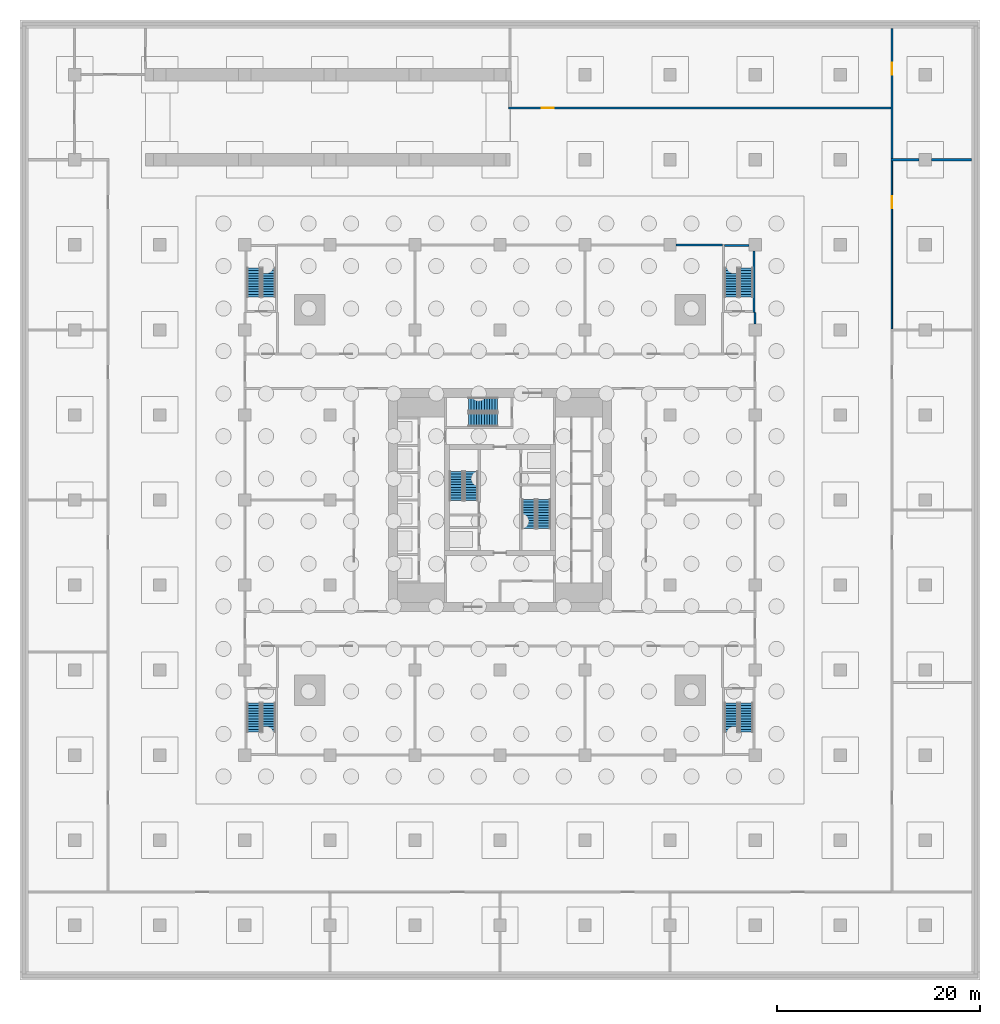
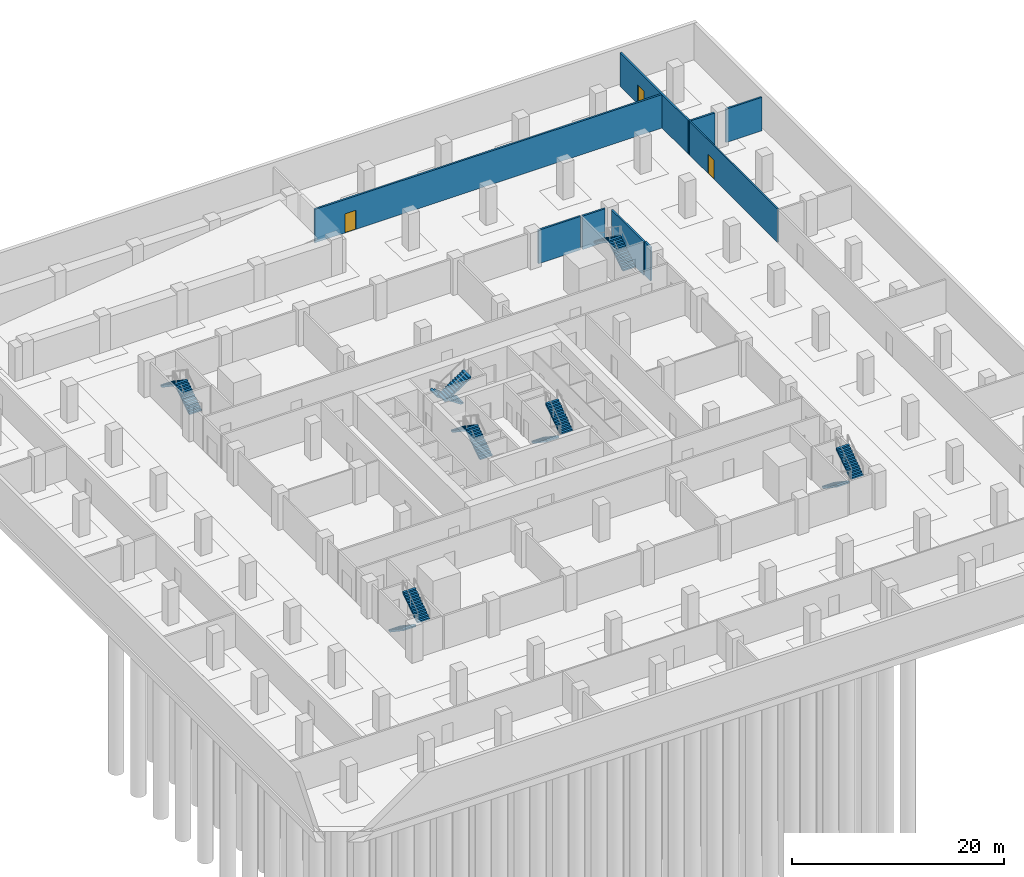
# One storey, part 13 of 19: 14 stair flights, 9 walls, 3 doors, 3 openings, 7 elements without a shape of their own.
"""IFC4 building model written with IfcOpenShell, lengths in metres."""

from ifc_helpers import new_model, si_unit, direction, frame, frame_2d, origin, place, context, subcontext, project, spatial, polyline, rectangle, outline, extrude, material, layer, layer_set, type_object, element, fill, aggregate, save


model = new_model("IFC4")

# Units and contexts
model_context = context("Model", 3, precision=1e-05, world=origin(), true_north=direction((0.0, 1.0)))
body_context = subcontext(model_context, "Body", "Model", "MODEL_VIEW")
ifc_project = project(units=[si_unit("LENGTHUNIT", "METRE"), si_unit("AREAUNIT", "SQUARE_METRE"), si_unit("VOLUMEUNIT", "CUBIC_METRE"), si_unit("PLANEANGLEUNIT", "RADIAN"), si_unit("MASSUNIT", "GRAM", prefix="KILO")], contexts=[model_context])

# Site, building, storey
site_placement = place(None, origin())
site = spatial("IfcSite", under=ifc_project, at=site_placement, CompositionType="ELEMENT")
building_placement = place(site_placement, origin())
building = spatial("IfcBuilding", under=site, at=building_placement, Name="Khepri Terraces", CompositionType="ELEMENT")
storey_placement = place(building_placement, frame((0.0, 0.0, -8.39990234375)))
storey = spatial("IfcBuildingStorey", under=building, at=storey_placement, Name="B2", CompositionType="ELEMENT", Elevation=-8.39990234375)

# Wall, opening, door
ifc_material_1 = material(Name="Gypsum board partition")
ifc_layer_1 = layer(ifc_material_1, 0.14990234375, Name="Gypsum board partition")
ifc_layer_set_1 = layer_set([ifc_layer_1], Name="Gypsum board partition")
wall_type_1 = type_object("IfcWallType", Name="WL-POD-150", PredefinedType="PARTITIONING", material=ifc_layer_set_1)
wall_1_placement = place(storey_placement, frame((38.699951171875, 16.89990234375, 0.0), z_axis=(0.0, 0.0, 1.0), x_axis=(0.0, 1.0, 0.0)))
wall_1 = element("IfcWall", 1, at=wall_1_placement, inside=storey, type_object=wall_type_1, Name="Partition B2-PW102", PredefinedType="PARTITIONING", context=body_context, shape_type="SweptSolid", body=[
    extrude(rectangle(XDim=16.60009765625, YDim=0.14990234375, at=frame_2d((8.300048828125, 0.0))), origin(), (0.0, 0.0, 1.0), 3.849853515625),
])
opening_1_placement = place(wall_1_placement, frame((11.89990234375, 0.0, 0.0)))
opening_1 = element("IfcOpeningElement", 2, at=opening_1_placement, cuts=wall_1, Name="Opening B2-P34", PredefinedType="OPENING", context=body_context, shape_type="SweptSolid", body=[
    extrude(rectangle(XDim=1.199951171875, YDim=2.199951171875, at=frame_2d((0.60009765625, 1.10009765625))), frame((0.0, 0.0849609375, 0.0), z_axis=(0.0, -1.0, 0.0), x_axis=(1.0, 0.0, 0.0)), (0.0, 0.0, 1.0), 0.169921875),
])
ifc_material_2 = material(Name="Timber veneer", Category="wood")
door_type_1 = type_object("IfcDoorType", Name="DR-POD-SINGLE-1200", OperationType="NOTDEFINED", PredefinedType="DOOR", material=ifc_material_2)
door_1_placement = place(opening_1_placement, origin())
door_1 = element("IfcDoor", 3, at=door_1_placement, inside=storey, type_object=door_type_1, Name="Door B2-P34", OperationType="SINGLE_SWING_LEFT", OverallHeight=2.199951171875, OverallWidth=1.199951171875, PredefinedType="DOOR", context=body_context, shape_type="SweptSolid", body=[
    extrude(rectangle(XDim=1.199951171875, YDim=2.199951171875, at=frame_2d((0.60009765625, 1.10009765625))), frame((0.0, 0.02490234375, 0.0), z_axis=(0.0, -1.0, 0.0), x_axis=(1.0, 0.0, 0.0)), (0.0, 0.0, 1.0), 0.050048828125),
])
fill(opening_1, door_1)

# Walls
ifc_material_3 = material(Name="Fire-rated block wall")
ifc_layer_2 = layer(ifc_material_3, 0.199951171875, Name="Fire-rated block wall")
ifc_layer_set_2 = layer_set([ifc_layer_2], Name="Fire-rated block wall")
wall_type_2 = type_object("IfcWallType", Name="WL-POD-200-EI120", PredefinedType="PARTITIONING", material=ifc_layer_set_2)
wall_2_placement = place(storey_placement, frame((17.39990234375, 25.199951171875, 0.0), z_axis=(0.0, 0.0, 1.0), x_axis=(1.0, 0.0, 0.0)))
element("IfcWall", 4, at=wall_2_placement, inside=storey, type_object=wall_type_2, Name="Partition B2-PW036", PredefinedType="PARTITIONING", context=body_context, shape_type="SweptSolid", body=[
    extrude(rectangle(XDim=4.550048828125, YDim=0.199951171875, at=frame_2d((2.27490234375, 0.0))), origin(), (0.0, 0.0, 1.0), 3.849853515625),
])
wall_3_placement = place(storey_placement, frame((38.60009765625, 33.60009765625, 0.0), z_axis=(0.0, 0.0, 1.0), x_axis=(1.0, 0.0, 0.0)))
element("IfcWall", 5, at=wall_3_placement, inside=storey, type_object=wall_type_2, Name="Partition B2-PW045", PredefinedType="PARTITIONING", context=body_context, shape_type="SweptSolid", body=[
    extrude(rectangle(XDim=2.7998046875, YDim=0.199951171875, at=frame_2d((1.39990234375, 0.0))), origin(), (0.0, 0.0, 1.0), 3.849853515625),
])
wall_4_placement = place(storey_placement, frame((42.60009765625, 33.60009765625, 0.0), z_axis=(0.0, 0.0, 1.0), x_axis=(1.0, 0.0, 0.0)))
element("IfcWall", 6, at=wall_4_placement, inside=storey, type_object=wall_type_2, Name="Partition B2-PW046", PredefinedType="PARTITIONING", context=body_context, shape_type="SweptSolid", body=[
    extrude(rectangle(XDim=3.949951171875, YDim=0.199951171875, at=frame_2d((1.97509765625, 0.0))), origin(), (0.0, 0.0, 1.0), 3.849853515625),
])

# Wall, opening, door
wall_5_placement = place(storey_placement, frame((0.85009765625, 38.699951171875, 0.0), z_axis=(0.0, 0.0, 1.0), x_axis=(1.0, 0.0, 0.0)))
wall_5 = element("IfcWall", 7, at=wall_5_placement, inside=storey, type_object=wall_type_2, Name="Partition B2-PW047", PredefinedType="PARTITIONING", context=body_context, shape_type="SweptSolid", body=[
    extrude(rectangle(XDim=37.75, YDim=0.199951171875, at=frame_2d((18.875, 0.0))), origin(), (0.0, 0.0, 1.0), 3.849853515625),
])
opening_2_placement = place(wall_5_placement, frame((3.25, 0.0, 0.0)))
opening_2 = element("IfcOpeningElement", 8, at=opening_2_placement, cuts=wall_5, Name="Opening B2-P36", PredefinedType="OPENING", context=body_context, shape_type="SweptSolid", body=[
    extrude(rectangle(XDim=1.199951171875, YDim=2.199951171875, at=frame_2d((0.60009765625, 1.10009765625))), frame((0.0, 0.10986328125, 0.0), z_axis=(0.0, -1.0, 0.0), x_axis=(1.0, 0.0, 0.0)), (0.0, 0.0, 1.0), 0.219970703125),
])
ifc_material_4 = material(Name="Painted steel", Category="steel")
door_type_2 = type_object("IfcDoorType", Name="DR-POD-PLANT-1200", OperationType="NOTDEFINED", PredefinedType="DOOR", material=ifc_material_4)
door_2_placement = place(opening_2_placement, origin())
door_2 = element("IfcDoor", 9, at=door_2_placement, inside=storey, type_object=door_type_2, Name="Plant room door B2-P36", OperationType="SINGLE_SWING_LEFT", OverallHeight=2.199951171875, OverallWidth=1.199951171875, PredefinedType="DOOR", context=body_context, shape_type="SweptSolid", body=[
    extrude(rectangle(XDim=1.199951171875, YDim=2.199951171875, at=frame_2d((0.60009765625, 1.10009765625))), frame((0.0, 0.02490234375, 0.0), z_axis=(0.0, -1.0, 0.0), x_axis=(1.0, 0.0, 0.0)), (0.0, 0.0, 1.0), 0.050048828125),
])
fill(opening_2, door_2)

# Wall
wall_6_placement = place(storey_placement, frame((25.199951171875, 17.39990234375, 0.0), z_axis=(0.0, 0.0, 1.0), x_axis=(0.0, 1.0, 0.0)))
element("IfcWall", 10, at=wall_6_placement, inside=storey, type_object=wall_type_2, Name="Partition B2-PW100", PredefinedType="PARTITIONING", context=body_context, shape_type="SweptSolid", body=[
    extrude(rectangle(XDim=1.10009765625, YDim=0.199951171875, at=frame_2d((0.550048828125, 0.0))), origin(), (0.0, 0.0, 1.0), 3.849853515625),
])

# Wall, opening, door
wall_7_placement = place(storey_placement, frame((38.699951171875, 33.699951171875, 0.0), z_axis=(0.0, 0.0, 1.0), x_axis=(0.0, 1.0, 0.0)))
wall_7 = element("IfcWall", 11, at=wall_7_placement, inside=storey, type_object=wall_type_2, Name="Partition B2-PW103", PredefinedType="PARTITIONING", context=body_context, shape_type="SweptSolid", body=[
    extrude(rectangle(XDim=12.85009765625, YDim=0.199951171875, at=frame_2d((6.425048828125, 0.0))), origin(), (0.0, 0.0, 1.0), 3.849853515625),
])
opening_3_placement = place(wall_7_placement, frame((8.300048828125, 0.0, 0.0)))
opening_3 = element("IfcOpeningElement", 12, at=opening_3_placement, cuts=wall_7, Name="Opening B2-P38", PredefinedType="OPENING", context=body_context, shape_type="SweptSolid", body=[
    extrude(rectangle(XDim=1.199951171875, YDim=2.199951171875, at=frame_2d((0.60009765625, 1.10009765625))), frame((0.0, 0.10986328125, 0.0), z_axis=(0.0, -1.0, 0.0), x_axis=(1.0, 0.0, 0.0)), (0.0, 0.0, 1.0), 0.219970703125),
])
door_3_placement = place(opening_3_placement, origin())
door_3 = element("IfcDoor", 13, at=door_3_placement, inside=storey, type_object=door_type_2, Name="Plant room door B2-P38", OperationType="SINGLE_SWING_LEFT", OverallHeight=2.199951171875, OverallWidth=1.199951171875, PredefinedType="DOOR", context=body_context, shape_type="SweptSolid", body=[
    extrude(rectangle(XDim=1.199951171875, YDim=2.199951171875, at=frame_2d((0.60009765625, 1.10009765625))), frame((0.0, 0.02490234375, 0.0), z_axis=(0.0, -1.0, 0.0), x_axis=(1.0, 0.0, 0.0)), (0.0, 0.0, 1.0), 0.050048828125),
])
fill(opening_3, door_3)

# Walls
ifc_material_5 = material(Name="Concrete C40/50", Category="concrete")
ifc_layer_3 = layer(ifc_material_5, 0.199951171875, Name="Concrete C40/50", Category="concrete")
ifc_layer_set_3 = layer_set([ifc_layer_3], Name="Concrete C40/50")
wall_type_3 = type_object("IfcWallType", Name="WL-POD-STAIR-200", PredefinedType="SOLIDWALL", material=ifc_layer_set_3)
wall_8_placement = place(storey_placement, frame((25.10009765625, 18.5, 0.0), z_axis=(0.0, 0.0, 1.0), x_axis=(0.0, 1.0, 0.0)))
element("IfcWall", 14, at=wall_8_placement, inside=storey, type_object=wall_type_3, Name="Stair enclosure PS-1 B2-E", PredefinedType="SOLIDWALL", context=body_context, shape_type="SweptSolid", body=[
    extrude(rectangle(XDim=6.10009765625, YDim=0.199951171875, at=frame_2d((3.050048828125, 0.0))), origin(), (0.0, 0.0, 1.0), 3.849853515625),
])
wall_9_placement = place(storey_placement, frame((22.14990234375, 25.139892578125, 0.0), z_axis=(0.0, 0.0, 1.0), x_axis=(1.0, 0.0, 0.0)))
element("IfcWall", 15, at=wall_9_placement, inside=storey, type_object=wall_type_3, Name="Stair enclosure PS-1 B2-N", PredefinedType="SOLIDWALL", context=body_context, shape_type="SweptSolid", body=[
    extrude(rectangle(XDim=2.4501953125, YDim=0.199951171875, at=frame_2d((1.22509765625, 0.0))), origin(), (0.0, 0.0, 1.0), 3.849853515625),
])

# Stair, stair flights
stair_type_1 = type_object("IfcStairType", Name="ST-POD", PredefinedType="HALF_TURN_STAIR", material=ifc_material_5)
stair_1_placement = place(storey_placement, origin())
stair_1 = element("IfcStair", 16, at=stair_1_placement, inside=storey, type_object=stair_type_1, Name="B2 Exit Stair PS-1", PredefinedType="HALF_TURN_STAIR")
stair_flight_type_1 = type_object("IfcStairFlightType", Name="SFL-POD", PredefinedType="STRAIGHT", material=ifc_material_5)
stair_flight_1_placement = place(storey_placement, frame((24.324951171875, 20.050048828125, 0.0), z_axis=(0.0, 0.0, 1.0), x_axis=(0.0, 1.0, 0.0)))
stair_flight_1 = element("IfcStairFlight", 17, at=stair_flight_1_placement, type_object=stair_flight_type_1, Name="PS-1 flight 1", NumberOfRisers=12, NumberOfTreads=11, PredefinedType="STRAIGHT", RiserHeight=0.175, TreadLength=0.26, context=body_context, shape_type="SweptSolid", body=[
    extrude(outline(polyline([(0.0, 0.0), (0.0, 0.175048828125), (0.260009765625, 0.175048828125), (0.260009765625, 0.35009765625), (0.52001953125, 0.35009765625), (0.52001953125, 0.52490234375), (0.780029296875, 0.52490234375), (0.780029296875, 0.699951171875), (1.0400390625, 0.699951171875), (1.0400390625, 0.875), (1.300048828125, 0.875), (1.300048828125, 1.050048828125), (1.56005859375, 1.050048828125), (1.56005859375, 1.22509765625), (1.820068359375, 1.22509765625), (1.820068359375, 1.39990234375), (2.080078125, 1.39990234375), (2.080078125, 1.574951171875), (2.340087890625, 1.574951171875), (2.340087890625, 1.75), (2.60009765625, 1.75), (2.60009765625, 1.925048828125), (2.860107421875, 1.925048828125), (2.860107421875, 2.10009765625), (2.860107421875, 1.744384765625), (0.2685546875, 0.0), (0.0, 0.0)])), frame((0.0, 0.675048828125, 0.0), z_axis=(0.0, -1.0, 0.0), x_axis=(1.0, 0.0, 0.0)), (0.0, 0.0, 1.0), 1.35009765625),
])
stair_flight_2_placement = place(storey_placement, frame((22.824951171875, 22.909912109375, 2.099853515625), z_axis=(0.0, 0.0, 1.0), x_axis=(0.0, -1.0, 0.0)))
stair_flight_2 = element("IfcStairFlight", 18, at=stair_flight_2_placement, type_object=stair_flight_type_1, Name="PS-1 flight 2", NumberOfRisers=12, NumberOfTreads=11, PredefinedType="STRAIGHT", RiserHeight=0.175, TreadLength=0.26, context=body_context, shape_type="SweptSolid", body=[
    extrude(outline(polyline([(0.0, 0.0), (0.0, 0.175048828125), (0.260009765625, 0.175048828125), (0.260009765625, 0.35009765625), (0.52001953125, 0.35009765625), (0.52001953125, 0.52490234375), (0.780029296875, 0.52490234375), (0.780029296875, 0.699951171875), (1.0400390625, 0.699951171875), (1.0400390625, 0.875), (1.300048828125, 0.875), (1.300048828125, 1.050048828125), (1.56005859375, 1.050048828125), (1.56005859375, 1.22509765625), (1.820068359375, 1.22509765625), (1.820068359375, 1.39990234375), (2.080078125, 1.39990234375), (2.080078125, 1.574951171875), (2.340087890625, 1.574951171875), (2.340087890625, 1.75), (2.60009765625, 1.75), (2.60009765625, 1.925048828125), (2.860107421875, 1.925048828125), (2.860107421875, 2.10009765625), (2.860107421875, 1.744384765625), (0.2685546875, 0.0), (0.0, 0.0)])), frame((0.0, 0.675048828125, 0.0), z_axis=(0.0, -1.0, 0.0), x_axis=(1.0, 0.0, 0.0)), (0.0, 0.0, 1.0), 1.35009765625),
])
aggregate(stair_1, [stair_flight_1, stair_flight_2])

stair_2_placement = place(storey_placement, origin())
stair_2 = element("IfcStair", 19, at=stair_2_placement, inside=storey, type_object=stair_type_1, Name="B2 Exit Stair PS-2", PredefinedType="HALF_TURN_STAIR")
stair_flight_3_placement = place(storey_placement, frame((-22.824951171875, 20.050048828125, 0.0), z_axis=(0.0, 0.0, 1.0), x_axis=(0.0, 1.0, 0.0)))
stair_flight_3 = element("IfcStairFlight", 20, at=stair_flight_3_placement, type_object=stair_flight_type_1, Name="PS-2 flight 1", NumberOfRisers=12, NumberOfTreads=11, PredefinedType="STRAIGHT", RiserHeight=0.175, TreadLength=0.26, context=body_context, shape_type="SweptSolid", body=[
    extrude(outline(polyline([(0.0, 0.0), (0.0, 0.175048828125), (0.260009765625, 0.175048828125), (0.260009765625, 0.35009765625), (0.52001953125, 0.35009765625), (0.52001953125, 0.52490234375), (0.780029296875, 0.52490234375), (0.780029296875, 0.699951171875), (1.0400390625, 0.699951171875), (1.0400390625, 0.875), (1.300048828125, 0.875), (1.300048828125, 1.050048828125), (1.56005859375, 1.050048828125), (1.56005859375, 1.22509765625), (1.820068359375, 1.22509765625), (1.820068359375, 1.39990234375), (2.080078125, 1.39990234375), (2.080078125, 1.574951171875), (2.340087890625, 1.574951171875), (2.340087890625, 1.75), (2.60009765625, 1.75), (2.60009765625, 1.925048828125), (2.860107421875, 1.925048828125), (2.860107421875, 2.10009765625), (2.860107421875, 1.744384765625), (0.2685546875, 0.0), (0.0, 0.0)])), frame((0.0, 0.675048828125, 0.0), z_axis=(0.0, -1.0, 0.0), x_axis=(1.0, 0.0, 0.0)), (0.0, 0.0, 1.0), 1.35009765625),
])
stair_flight_4_placement = place(storey_placement, frame((-24.324951171875, 22.909912109375, 2.099853515625), z_axis=(0.0, 0.0, 1.0), x_axis=(0.0, -1.0, 0.0)))
stair_flight_4 = element("IfcStairFlight", 21, at=stair_flight_4_placement, type_object=stair_flight_type_1, Name="PS-2 flight 2", NumberOfRisers=12, NumberOfTreads=11, PredefinedType="STRAIGHT", RiserHeight=0.175, TreadLength=0.26, context=body_context, shape_type="SweptSolid", body=[
    extrude(outline(polyline([(0.0, 0.0), (0.0, 0.175048828125), (0.260009765625, 0.175048828125), (0.260009765625, 0.35009765625), (0.52001953125, 0.35009765625), (0.52001953125, 0.52490234375), (0.780029296875, 0.52490234375), (0.780029296875, 0.699951171875), (1.0400390625, 0.699951171875), (1.0400390625, 0.875), (1.300048828125, 0.875), (1.300048828125, 1.050048828125), (1.56005859375, 1.050048828125), (1.56005859375, 1.22509765625), (1.820068359375, 1.22509765625), (1.820068359375, 1.39990234375), (2.080078125, 1.39990234375), (2.080078125, 1.574951171875), (2.340087890625, 1.574951171875), (2.340087890625, 1.75), (2.60009765625, 1.75), (2.60009765625, 1.925048828125), (2.860107421875, 1.925048828125), (2.860107421875, 2.10009765625), (2.860107421875, 1.744384765625), (0.2685546875, 0.0), (0.0, 0.0)])), frame((0.0, 0.675048828125, 0.0), z_axis=(0.0, -1.0, 0.0), x_axis=(1.0, 0.0, 0.0)), (0.0, 0.0, 1.0), 1.35009765625),
])
aggregate(stair_2, [stair_flight_3, stair_flight_4])

stair_3_placement = place(storey_placement, origin())
stair_3 = element("IfcStair", 22, at=stair_3_placement, inside=storey, type_object=stair_type_1, Name="B2 Exit Stair PS-3", PredefinedType="HALF_TURN_STAIR")
stair_flight_5_placement = place(storey_placement, frame((22.824951171875, -20.050048828125, 0.0), z_axis=(0.0, 0.0, 1.0), x_axis=(0.0, -1.0, 0.0)))
stair_flight_5 = element("IfcStairFlight", 23, at=stair_flight_5_placement, type_object=stair_flight_type_1, Name="PS-3 flight 1", NumberOfRisers=12, NumberOfTreads=11, PredefinedType="STRAIGHT", RiserHeight=0.175, TreadLength=0.26, context=body_context, shape_type="SweptSolid", body=[
    extrude(outline(polyline([(0.0, 0.0), (0.0, 0.175048828125), (0.260009765625, 0.175048828125), (0.260009765625, 0.35009765625), (0.52001953125, 0.35009765625), (0.52001953125, 0.52490234375), (0.780029296875, 0.52490234375), (0.780029296875, 0.699951171875), (1.0400390625, 0.699951171875), (1.0400390625, 0.875), (1.300048828125, 0.875), (1.300048828125, 1.050048828125), (1.56005859375, 1.050048828125), (1.56005859375, 1.22509765625), (1.820068359375, 1.22509765625), (1.820068359375, 1.39990234375), (2.080078125, 1.39990234375), (2.080078125, 1.574951171875), (2.340087890625, 1.574951171875), (2.340087890625, 1.75), (2.60009765625, 1.75), (2.60009765625, 1.925048828125), (2.860107421875, 1.925048828125), (2.860107421875, 2.10009765625), (2.860107421875, 1.744384765625), (0.2685546875, 0.0), (0.0, 0.0)])), frame((0.0, 0.675048828125, 0.0), z_axis=(0.0, -1.0, 0.0), x_axis=(1.0, 0.0, 0.0)), (0.0, 0.0, 1.0), 1.35009765625),
])
stair_flight_6_placement = place(storey_placement, frame((24.324951171875, -22.909912109375, 2.099853515625), z_axis=(0.0, 0.0, 1.0), x_axis=(0.0, 1.0, 0.0)))
stair_flight_6 = element("IfcStairFlight", 24, at=stair_flight_6_placement, type_object=stair_flight_type_1, Name="PS-3 flight 2", NumberOfRisers=12, NumberOfTreads=11, PredefinedType="STRAIGHT", RiserHeight=0.175, TreadLength=0.26, context=body_context, shape_type="SweptSolid", body=[
    extrude(outline(polyline([(0.0, 0.0), (0.0, 0.175048828125), (0.260009765625, 0.175048828125), (0.260009765625, 0.35009765625), (0.52001953125, 0.35009765625), (0.52001953125, 0.52490234375), (0.780029296875, 0.52490234375), (0.780029296875, 0.699951171875), (1.0400390625, 0.699951171875), (1.0400390625, 0.875), (1.300048828125, 0.875), (1.300048828125, 1.050048828125), (1.56005859375, 1.050048828125), (1.56005859375, 1.22509765625), (1.820068359375, 1.22509765625), (1.820068359375, 1.39990234375), (2.080078125, 1.39990234375), (2.080078125, 1.574951171875), (2.340087890625, 1.574951171875), (2.340087890625, 1.75), (2.60009765625, 1.75), (2.60009765625, 1.925048828125), (2.860107421875, 1.925048828125), (2.860107421875, 2.10009765625), (2.860107421875, 1.744384765625), (0.2685546875, 0.0), (0.0, 0.0)])), frame((0.0, 0.675048828125, 0.0), z_axis=(0.0, -1.0, 0.0), x_axis=(1.0, 0.0, 0.0)), (0.0, 0.0, 1.0), 1.35009765625),
])
aggregate(stair_3, [stair_flight_5, stair_flight_6])

stair_4_placement = place(storey_placement, origin())
stair_4 = element("IfcStair", 25, at=stair_4_placement, inside=storey, type_object=stair_type_1, Name="B2 Exit Stair PS-4", PredefinedType="HALF_TURN_STAIR")
stair_flight_7_placement = place(storey_placement, frame((-24.324951171875, -20.050048828125, 0.0), z_axis=(0.0, 0.0, 1.0), x_axis=(0.0, -1.0, 0.0)))
stair_flight_7 = element("IfcStairFlight", 26, at=stair_flight_7_placement, type_object=stair_flight_type_1, Name="PS-4 flight 1", NumberOfRisers=12, NumberOfTreads=11, PredefinedType="STRAIGHT", RiserHeight=0.175, TreadLength=0.26, context=body_context, shape_type="SweptSolid", body=[
    extrude(outline(polyline([(0.0, 0.0), (0.0, 0.175048828125), (0.260009765625, 0.175048828125), (0.260009765625, 0.35009765625), (0.52001953125, 0.35009765625), (0.52001953125, 0.52490234375), (0.780029296875, 0.52490234375), (0.780029296875, 0.699951171875), (1.0400390625, 0.699951171875), (1.0400390625, 0.875), (1.300048828125, 0.875), (1.300048828125, 1.050048828125), (1.56005859375, 1.050048828125), (1.56005859375, 1.22509765625), (1.820068359375, 1.22509765625), (1.820068359375, 1.39990234375), (2.080078125, 1.39990234375), (2.080078125, 1.574951171875), (2.340087890625, 1.574951171875), (2.340087890625, 1.75), (2.60009765625, 1.75), (2.60009765625, 1.925048828125), (2.860107421875, 1.925048828125), (2.860107421875, 2.10009765625), (2.860107421875, 1.744384765625), (0.2685546875, 0.0), (0.0, 0.0)])), frame((0.0, 0.675048828125, 0.0), z_axis=(0.0, -1.0, 0.0), x_axis=(1.0, 0.0, 0.0)), (0.0, 0.0, 1.0), 1.35009765625),
])
stair_flight_8_placement = place(storey_placement, frame((-22.824951171875, -22.909912109375, 2.099853515625), z_axis=(0.0, 0.0, 1.0), x_axis=(0.0, 1.0, 0.0)))
stair_flight_8 = element("IfcStairFlight", 27, at=stair_flight_8_placement, type_object=stair_flight_type_1, Name="PS-4 flight 2", NumberOfRisers=12, NumberOfTreads=11, PredefinedType="STRAIGHT", RiserHeight=0.175, TreadLength=0.26, context=body_context, shape_type="SweptSolid", body=[
    extrude(outline(polyline([(0.0, 0.0), (0.0, 0.175048828125), (0.260009765625, 0.175048828125), (0.260009765625, 0.35009765625), (0.52001953125, 0.35009765625), (0.52001953125, 0.52490234375), (0.780029296875, 0.52490234375), (0.780029296875, 0.699951171875), (1.0400390625, 0.699951171875), (1.0400390625, 0.875), (1.300048828125, 0.875), (1.300048828125, 1.050048828125), (1.56005859375, 1.050048828125), (1.56005859375, 1.22509765625), (1.820068359375, 1.22509765625), (1.820068359375, 1.39990234375), (2.080078125, 1.39990234375), (2.080078125, 1.574951171875), (2.340087890625, 1.574951171875), (2.340087890625, 1.75), (2.60009765625, 1.75), (2.60009765625, 1.925048828125), (2.860107421875, 1.925048828125), (2.860107421875, 2.10009765625), (2.860107421875, 1.744384765625), (0.2685546875, 0.0), (0.0, 0.0)])), frame((0.0, 0.675048828125, 0.0), z_axis=(0.0, -1.0, 0.0), x_axis=(1.0, 0.0, 0.0)), (0.0, 0.0, 1.0), 1.35009765625),
])
aggregate(stair_4, [stair_flight_7, stair_flight_8])

stair_type_2 = type_object("IfcStairType", Name="STAIR-RC-24R", PredefinedType="HALF_TURN_STAIR", material=ifc_material_5)
stair_5_placement = place(storey_placement, origin())
stair_5 = element("IfcStair", 28, at=stair_5_placement, inside=storey, type_object=stair_type_2, Name="B2 Exit Stair ST-1", PredefinedType="HALF_TURN_STAIR")
stair_flight_type_2 = type_object("IfcStairFlightType", Name="SFL-RC-175", PredefinedType="STRAIGHT", material=ifc_material_5)
stair_flight_9_placement = place(storey_placement, frame((-2.824951171875, -0.050048828125, 0.0), z_axis=(0.0, 0.0, 1.0), x_axis=(0.0, 1.0, 0.0)))
stair_flight_9 = element("IfcStairFlight", 29, at=stair_flight_9_placement, type_object=stair_flight_type_2, Name="ST-1 flight 1", NumberOfRisers=12, NumberOfTreads=11, PredefinedType="STRAIGHT", RiserHeight=0.175, TreadLength=0.26, context=body_context, shape_type="SweptSolid", body=[
    extrude(outline(polyline([(0.0, 0.0), (0.0, 0.175048828125), (0.260009765625, 0.175048828125), (0.260009765625, 0.35009765625), (0.52001953125, 0.35009765625), (0.52001953125, 0.52490234375), (0.780029296875, 0.52490234375), (0.780029296875, 0.699951171875), (1.0400390625, 0.699951171875), (1.0400390625, 0.875), (1.300048828125, 0.875), (1.300048828125, 1.050048828125), (1.56005859375, 1.050048828125), (1.56005859375, 1.22509765625), (1.820068359375, 1.22509765625), (1.820068359375, 1.39990234375), (2.080078125, 1.39990234375), (2.080078125, 1.574951171875), (2.340087890625, 1.574951171875), (2.340087890625, 1.75), (2.60009765625, 1.75), (2.60009765625, 1.925048828125), (2.860107421875, 1.925048828125), (2.860107421875, 2.10009765625), (2.860107421875, 1.744384765625), (0.2685546875, 0.0), (0.0, 0.0)])), frame((0.0, 0.675048828125, 0.0), z_axis=(0.0, -1.0, 0.0), x_axis=(1.0, 0.0, 0.0)), (0.0, 0.0, 1.0), 1.35009765625),
])
stair_flight_10_placement = place(storey_placement, frame((-4.324951171875, 2.81005859375, 2.099853515625), z_axis=(0.0, 0.0, 1.0), x_axis=(0.0, -1.0, 0.0)))
stair_flight_10 = element("IfcStairFlight", 30, at=stair_flight_10_placement, type_object=stair_flight_type_2, Name="ST-1 flight 2", NumberOfRisers=12, NumberOfTreads=11, PredefinedType="STRAIGHT", RiserHeight=0.175, TreadLength=0.26, context=body_context, shape_type="SweptSolid", body=[
    extrude(outline(polyline([(0.0, 0.0), (0.0, 0.175048828125), (0.260009765625, 0.175048828125), (0.260009765625, 0.35009765625), (0.52001953125, 0.35009765625), (0.52001953125, 0.52490234375), (0.780029296875, 0.52490234375), (0.780029296875, 0.699951171875), (1.0400390625, 0.699951171875), (1.0400390625, 0.875), (1.300048828125, 0.875), (1.300048828125, 1.050048828125), (1.56005859375, 1.050048828125), (1.56005859375, 1.22509765625), (1.820068359375, 1.22509765625), (1.820068359375, 1.39990234375), (2.080078125, 1.39990234375), (2.080078125, 1.574951171875), (2.340087890625, 1.574951171875), (2.340087890625, 1.75), (2.60009765625, 1.75), (2.60009765625, 1.925048828125), (2.860107421875, 1.925048828125), (2.860107421875, 2.10009765625), (2.860107421875, 1.744384765625), (0.2685546875, 0.0), (0.0, 0.0)])), frame((0.0, 0.675048828125, 0.0), z_axis=(0.0, -1.0, 0.0), x_axis=(1.0, 0.0, 0.0)), (0.0, 0.0, 1.0), 1.35009765625),
])
aggregate(stair_5, [stair_flight_9, stair_flight_10])

stair_6_placement = place(storey_placement, origin())
stair_6 = element("IfcStair", 31, at=stair_6_placement, inside=storey, type_object=stair_type_2, Name="B2 Exit Stair ST-2", PredefinedType="HALF_TURN_STAIR")
stair_flight_11_placement = place(storey_placement, frame((2.824951171875, 0.050048828125, 0.0), z_axis=(0.0, 0.0, 1.0), x_axis=(0.0, -1.0, 0.0)))
stair_flight_11 = element("IfcStairFlight", 32, at=stair_flight_11_placement, type_object=stair_flight_type_2, Name="ST-2 flight 1", NumberOfRisers=12, NumberOfTreads=11, PredefinedType="STRAIGHT", RiserHeight=0.175, TreadLength=0.26, context=body_context, shape_type="SweptSolid", body=[
    extrude(outline(polyline([(0.0, 0.0), (0.0, 0.175048828125), (0.260009765625, 0.175048828125), (0.260009765625, 0.35009765625), (0.52001953125, 0.35009765625), (0.52001953125, 0.52490234375), (0.780029296875, 0.52490234375), (0.780029296875, 0.699951171875), (1.0400390625, 0.699951171875), (1.0400390625, 0.875), (1.300048828125, 0.875), (1.300048828125, 1.050048828125), (1.56005859375, 1.050048828125), (1.56005859375, 1.22509765625), (1.820068359375, 1.22509765625), (1.820068359375, 1.39990234375), (2.080078125, 1.39990234375), (2.080078125, 1.574951171875), (2.340087890625, 1.574951171875), (2.340087890625, 1.75), (2.60009765625, 1.75), (2.60009765625, 1.925048828125), (2.860107421875, 1.925048828125), (2.860107421875, 2.10009765625), (2.860107421875, 1.744384765625), (0.2685546875, 0.0), (0.0, 0.0)])), frame((0.0, 0.675048828125, 0.0), z_axis=(0.0, -1.0, 0.0), x_axis=(1.0, 0.0, 0.0)), (0.0, 0.0, 1.0), 1.35009765625),
])
stair_flight_12_placement = place(storey_placement, frame((4.324951171875, -2.81005859375, 2.099853515625), z_axis=(0.0, 0.0, 1.0), x_axis=(0.0, 1.0, 0.0)))
stair_flight_12 = element("IfcStairFlight", 33, at=stair_flight_12_placement, type_object=stair_flight_type_2, Name="ST-2 flight 2", NumberOfRisers=12, NumberOfTreads=11, PredefinedType="STRAIGHT", RiserHeight=0.175, TreadLength=0.26, context=body_context, shape_type="SweptSolid", body=[
    extrude(outline(polyline([(0.0, 0.0), (0.0, 0.175048828125), (0.260009765625, 0.175048828125), (0.260009765625, 0.35009765625), (0.52001953125, 0.35009765625), (0.52001953125, 0.52490234375), (0.780029296875, 0.52490234375), (0.780029296875, 0.699951171875), (1.0400390625, 0.699951171875), (1.0400390625, 0.875), (1.300048828125, 0.875), (1.300048828125, 1.050048828125), (1.56005859375, 1.050048828125), (1.56005859375, 1.22509765625), (1.820068359375, 1.22509765625), (1.820068359375, 1.39990234375), (2.080078125, 1.39990234375), (2.080078125, 1.574951171875), (2.340087890625, 1.574951171875), (2.340087890625, 1.75), (2.60009765625, 1.75), (2.60009765625, 1.925048828125), (2.860107421875, 1.925048828125), (2.860107421875, 2.10009765625), (2.860107421875, 1.744384765625), (0.2685546875, 0.0), (0.0, 0.0)])), frame((0.0, 0.675048828125, 0.0), z_axis=(0.0, -1.0, 0.0), x_axis=(1.0, 0.0, 0.0)), (0.0, 0.0, 1.0), 1.35009765625),
])
aggregate(stair_6, [stair_flight_11, stair_flight_12])

stair_7_placement = place(storey_placement, origin())
stair_7 = element("IfcStair", 34, at=stair_7_placement, inside=storey, type_object=stair_type_2, Name="B2 Exit Stair ST-3", PredefinedType="HALF_TURN_STAIR")
stair_flight_13_placement = place(storey_placement, frame((-0.25, 9.425048828125, 0.0), z_axis=(0.0, 0.0, 1.0), x_axis=(-1.0, 0.0, 0.0)))
stair_flight_13 = element("IfcStairFlight", 35, at=stair_flight_13_placement, type_object=stair_flight_type_2, Name="ST-3 flight 1", NumberOfRisers=12, NumberOfTreads=11, PredefinedType="STRAIGHT", RiserHeight=0.175, TreadLength=0.26, context=body_context, shape_type="SweptSolid", body=[
    extrude(outline(polyline([(0.0, 0.0), (0.0, 0.175048828125), (0.260009765625, 0.175048828125), (0.260009765625, 0.35009765625), (0.52001953125, 0.35009765625), (0.52001953125, 0.52490234375), (0.780029296875, 0.52490234375), (0.780029296875, 0.699951171875), (1.0400390625, 0.699951171875), (1.0400390625, 0.875), (1.300048828125, 0.875), (1.300048828125, 1.050048828125), (1.56005859375, 1.050048828125), (1.56005859375, 1.22509765625), (1.820068359375, 1.22509765625), (1.820068359375, 1.39990234375), (2.080078125, 1.39990234375), (2.080078125, 1.574951171875), (2.340087890625, 1.574951171875), (2.340087890625, 1.75), (2.60009765625, 1.75), (2.60009765625, 1.925048828125), (2.860107421875, 1.925048828125), (2.860107421875, 2.10009765625), (2.860107421875, 1.744384765625), (0.2685546875, 0.0), (0.0, 0.0)])), frame((0.0, 0.675048828125, 0.0), z_axis=(0.0, -1.0, 0.0), x_axis=(1.0, 0.0, 0.0)), (0.0, 0.0, 1.0), 1.35009765625),
])
stair_flight_14_placement = place(storey_placement, frame((-3.110107421875, 7.925048828125, 2.099853515625), z_axis=(0.0, 0.0, 1.0), x_axis=(1.0, 0.0, 0.0)))
stair_flight_14 = element("IfcStairFlight", 36, at=stair_flight_14_placement, type_object=stair_flight_type_2, Name="ST-3 flight 2", NumberOfRisers=12, NumberOfTreads=11, PredefinedType="STRAIGHT", RiserHeight=0.175, TreadLength=0.26, context=body_context, shape_type="SweptSolid", body=[
    extrude(outline(polyline([(0.0, 0.0), (0.0, 0.175048828125), (0.260009765625, 0.175048828125), (0.260009765625, 0.35009765625), (0.52001953125, 0.35009765625), (0.52001953125, 0.52490234375), (0.780029296875, 0.52490234375), (0.780029296875, 0.699951171875), (1.0400390625, 0.699951171875), (1.0400390625, 0.875), (1.300048828125, 0.875), (1.300048828125, 1.050048828125), (1.56005859375, 1.050048828125), (1.56005859375, 1.22509765625), (1.820068359375, 1.22509765625), (1.820068359375, 1.39990234375), (2.080078125, 1.39990234375), (2.080078125, 1.574951171875), (2.340087890625, 1.574951171875), (2.340087890625, 1.75), (2.60009765625, 1.75), (2.60009765625, 1.925048828125), (2.860107421875, 1.925048828125), (2.860107421875, 2.10009765625), (2.860107421875, 1.744384765625), (0.2685546875, 0.0), (0.0, 0.0)])), frame((0.0, 0.675048828125, 0.0), z_axis=(0.0, -1.0, 0.0), x_axis=(1.0, 0.0, 0.0)), (0.0, 0.0, 1.0), 1.35009765625),
])
aggregate(stair_7, [stair_flight_13, stair_flight_14])

save(model, "model.ifc")
